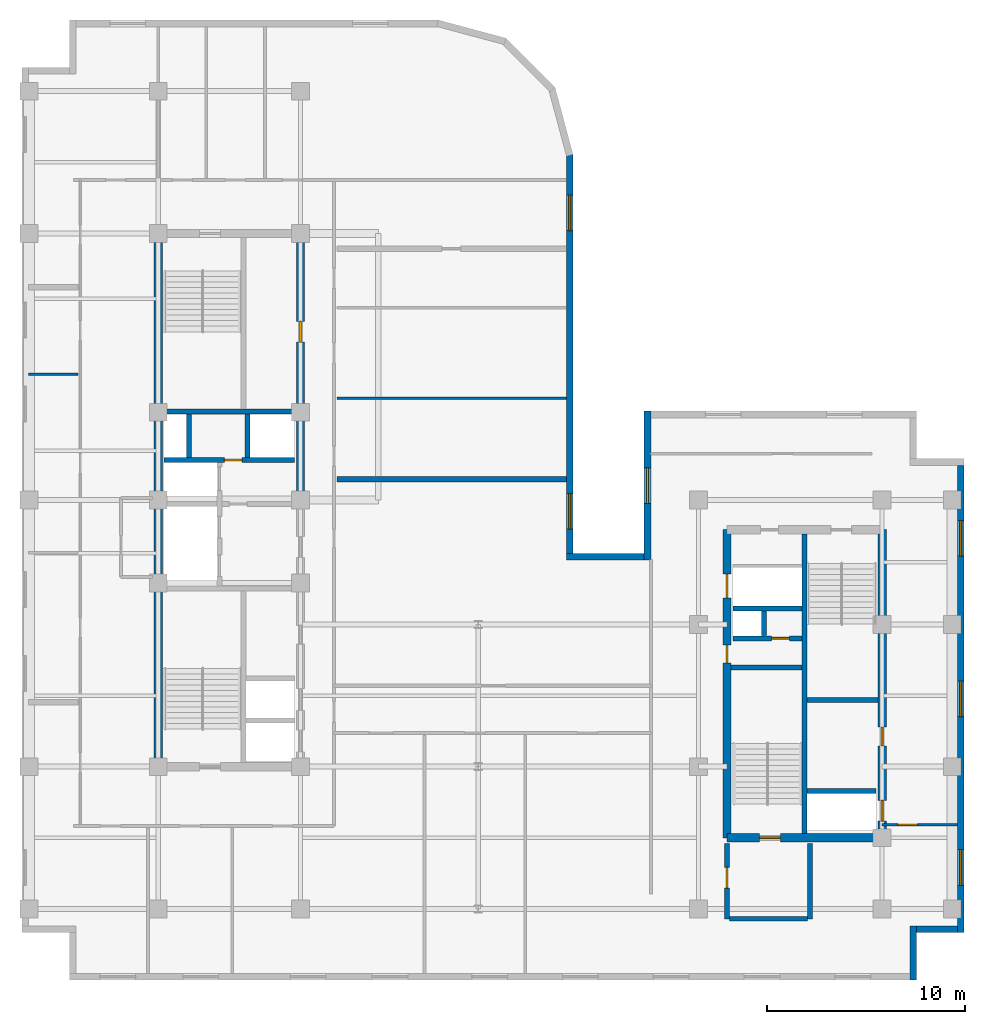
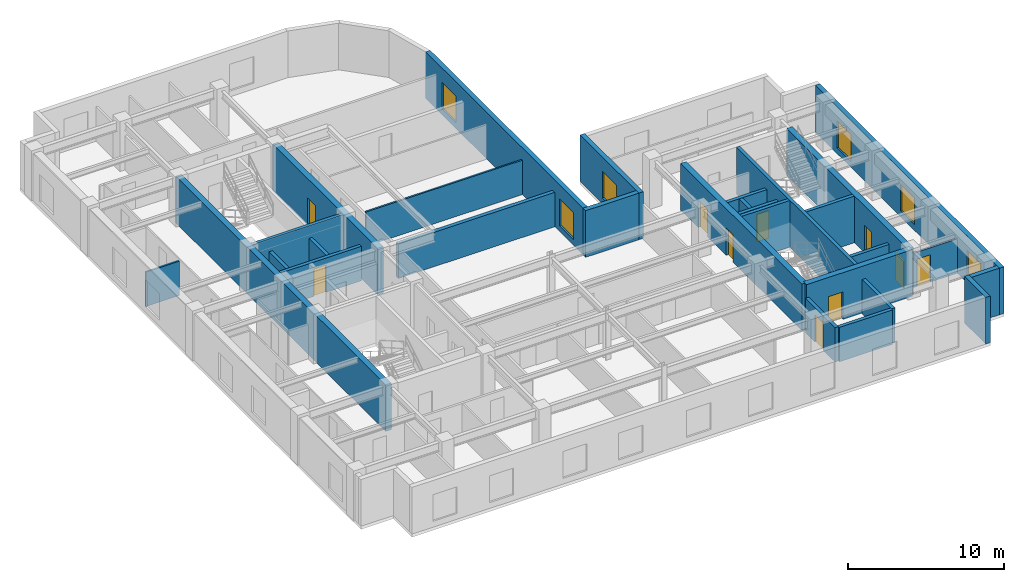
# One storey, part 5 of 10: 29 walls, 10 doors, 6 windows, 16 openings.
"""IFC4 building model written with IfcOpenShell, lengths in metres."""

from ifc_helpers import new_model, entity, si_unit, converted_unit, direction, frame, origin_with_axes, origin_2d_with_axis, place, context, subcontext, project, spatial, polyline, rectangle, outline, extrude, material, layer, layer_set, type_object, element, fill, save


model = new_model("IFC4")

# Units and contexts
model_context = context("Model", 3, precision=1e-05, world=origin_with_axes(), true_north=direction((0.0, 1.0)))
body_context = subcontext(model_context, "Body", "Model", "MODEL_VIEW")
ifc_project = project(units=[si_unit("LENGTHUNIT", "METRE"), si_unit("AREAUNIT", "SQUARE_METRE"), si_unit("VOLUMEUNIT", "CUBIC_METRE"), converted_unit("PLANEANGLEUNIT", "DEGREE", entity("IfcPlaneAngleMeasure", 0.017453292519943295), si_unit("PLANEANGLEUNIT", "RADIAN"), dimensions=[0, 0, 0, 0, 0, 0, 0]), si_unit("MASSUNIT", "GRAM", prefix="KILO"), si_unit("THERMODYNAMICTEMPERATUREUNIT", "KELVIN")], contexts=[model_context])

# Site, building, storey
site_placement = place(None, origin_with_axes())
site = spatial("IfcSite", under=ifc_project, at=site_placement, CompositionType="ELEMENT")
building_placement = place(site_placement, origin_with_axes())
building = spatial("IfcBuilding", under=site, at=building_placement, Name="Varnlund Millrace Tower", CompositionType="ELEMENT")
storey_placement = place(building_placement, frame((0.0, 0.0, 232.5), z_axis=(0.0, 0.0, 1.0), x_axis=(1.0, 0.0, 0.0)))
storey = spatial("IfcBuildingStorey", under=building, at=storey_placement, Name="L57", CompositionType="ELEMENT", Elevation=232.5)

# Wall
ifc_material_1 = material(Name="Concrete C60/75", Category="concrete")
ifc_layer_1 = layer(ifc_material_1, 0.42, Name="Concrete C60/75")
ifc_layer_set_1 = layer_set([ifc_layer_1], Name="Concrete C60/75")
wall_type_1 = type_object("IfcWallType", Name="Type-CoreWall-Shear-420-C60", PredefinedType="SHEAR", material=ifc_layer_set_1)
wall_1_placement = place(storey_placement, frame((11.4, 10.8, 0.0), z_axis=(0.0, 0.0, 1.0), x_axis=(0.0, 1.0, 0.0)))
element("IfcWall", 1, at=wall_1_placement, inside=storey, type_object=wall_type_1, Name="Type-CoreWall-Shear-420-C60", PredefinedType="SHEAR", context=body_context, shape_type="SweptSolid", body=[
    extrude(outline(polyline([(0.0, -0.21), (27.0, -0.21), (27.0, 0.21), (0.0, 0.21), (0.0, -0.21)])), origin_with_axes(), (0.0, 0.0, 1.0), 3.66),
])

# Wall, opening, door
wall_2_placement = place(storey_placement, frame((18.6, 24.3, 0.0), z_axis=(0.0, 0.0, 1.0), x_axis=(0.0, 1.0, 0.0)))
wall_2 = element("IfcWall", 2, at=wall_2_placement, inside=storey, type_object=wall_type_1, Name="Type-CoreWall-Shear-420-C60", PredefinedType="SHEAR", context=body_context, shape_type="SweptSolid", body=[
    extrude(outline(polyline([(0.0, -0.21), (13.5, -0.21), (13.5, 0.21), (0.0, 0.21), (0.0, -0.21)])), origin_with_axes(), (0.0, 0.0, 1.0), 3.66),
])
opening_1_placement = place(wall_2_placement, frame((8.525, 0.0, 0.0), z_axis=(0.0, 0.0, 1.0), x_axis=(1.0, 0.0, 0.0)))
opening_1 = element("IfcOpeningElement", 3, at=opening_1_placement, cuts=wall_2, Name="Opening L57:DR-RECL-M", PredefinedType="OPENING", context=body_context, shape_type="SweptSolid", body=[
    extrude(rectangle(XDim=1.05, YDim=0.44, at=origin_2d_with_axis()), origin_with_axes(), (0.0, 0.0, 1.0), 2.15),
])
ifc_material_2 = material(Name="Smoke-barrier hollow steel fire door", Category="steel")
door_type_1 = type_object("IfcDoorType", Name="Type-FireDoor-Lobby-1050X2150", OperationType="NOTDEFINED", PredefinedType="DOOR", material=ifc_material_2)
door_1_placement = place(wall_2_placement, frame((8.525, 0.0, 0.0), z_axis=(0.0, 0.0, 1.0), x_axis=(1.0, 0.0, 0.0)))
door_1 = element("IfcDoor", 4, at=door_1_placement, inside=storey, type_object=door_type_1, Name="Type-FireDoor-Lobby-1050X2150", OperationType="SINGLE_SWING_LEFT", OverallHeight=2.15, OverallWidth=1.05, PredefinedType="DOOR", context=body_context, shape_type="SweptSolid", body=[
    extrude(rectangle(XDim=1.05, YDim=0.09, at=origin_2d_with_axis()), origin_with_axes(), (0.0, 0.0, 1.0), 2.15),
])
fill(opening_1, door_1)

# Wall, openings, doors
wall_3_placement = place(storey_placement, frame((40.2, 7.2, 0.0), z_axis=(0.0, 0.0, 1.0), x_axis=(0.0, 1.0, 0.0)))
wall_3 = element("IfcWall", 5, at=wall_3_placement, inside=storey, type_object=wall_type_1, Name="Type-CoreWall-Shear-420-C60", PredefinedType="SHEAR", context=body_context, shape_type="SweptSolid", body=[
    extrude(outline(polyline([(0.0, -0.21), (15.6, -0.21), (15.6, 0.21), (0.0, 0.21), (0.0, -0.21)])), origin_with_axes(), (0.0, 0.0, 1.0), 3.66),
])
opening_2_placement = place(wall_3_placement, frame((12.75, 0.0, 0.0), z_axis=(0.0, 0.0, 1.0), x_axis=(1.0, 0.0, 0.0)))
opening_2 = element("IfcOpeningElement", 6, at=opening_2_placement, cuts=wall_3, Name="Opening L57:LD-SRV2", PredefinedType="OPENING", context=body_context, shape_type="SweptSolid", body=[
    extrude(rectangle(XDim=1.2, YDim=0.44, at=origin_2d_with_axis()), origin_with_axes(), (0.0, 0.0, 1.0), 2.15),
])
opening_3_placement = place(wall_3_placement, frame((9.3, 0.0, 0.0), z_axis=(0.0, 0.0, 1.0), x_axis=(1.0, 0.0, 0.0)))
opening_3 = element("IfcOpeningElement", 7, at=opening_3_placement, cuts=wall_3, Name="Opening L57:DR-CB-JAN", PredefinedType="OPENING", context=body_context, shape_type="SweptSolid", body=[
    extrude(rectangle(XDim=0.9, YDim=0.44, at=origin_2d_with_axis()), origin_with_axes(), (0.0, 0.0, 1.0), 2.15),
])
ifc_material_3 = material(Name="Fire-rated hollow steel service closet door", Category="steel")
door_type_2 = type_object("IfcDoorType", Name="Type-FireDoor-Closet-900X2150", OperationType="NOTDEFINED", PredefinedType="DOOR", material=ifc_material_3)
door_2_placement = place(wall_3_placement, frame((9.3, 0.0, 0.0), z_axis=(0.0, 0.0, 1.0), x_axis=(1.0, 0.0, 0.0)))
door_2 = element("IfcDoor", 8, at=door_2_placement, inside=storey, type_object=door_type_2, Name="Type-FireDoor-Closet-900X2150", OperationType="SINGLE_SWING_RIGHT", OverallHeight=2.15, OverallWidth=0.9, PredefinedType="DOOR", context=body_context, shape_type="SweptSolid", body=[
    extrude(rectangle(XDim=0.9, YDim=0.09, at=origin_2d_with_axis()), origin_with_axes(), (0.0, 0.0, 1.0), 2.15),
])
fill(opening_3, door_2)
ifc_material_4 = material(Name="Heavy-duty freight sliding landing door")
door_type_3 = type_object("IfcDoorType", Name="Type-LiftLandingDoor-Service-1200X2150", OperationType="NOTDEFINED", PredefinedType="DOOR", material=ifc_material_4)
door_3_placement = place(wall_3_placement, frame((12.75, 0.0, 0.0), z_axis=(0.0, 0.0, 1.0), x_axis=(1.0, 0.0, 0.0)))
door_3 = element("IfcDoor", 9, at=door_3_placement, inside=storey, type_object=door_type_3, Name="Type-LiftLandingDoor-Service-1200X2150", OperationType="DOUBLE_DOOR_SLIDING", OverallHeight=2.15, OverallWidth=1.2, PredefinedType="DOOR", context=body_context, shape_type="SweptSolid", body=[
    extrude(rectangle(XDim=1.2, YDim=0.09, at=origin_2d_with_axis()), origin_with_axes(), (0.0, 0.0, 1.0), 2.15),
])
fill(opening_2, door_3)

# Wall, opening, door
wall_4_placement = place(storey_placement, frame((40.2, 7.2, 0.0), z_axis=(0.0, 0.0, 1.0), x_axis=(1.0, 0.0, 0.0)))
wall_4 = element("IfcWall", 10, at=wall_4_placement, inside=storey, type_object=wall_type_1, Name="Type-CoreWall-Shear-420-C60", PredefinedType="SHEAR", context=body_context, shape_type="SweptSolid", body=[
    extrude(outline(polyline([(0.0, -0.21), (7.85, -0.21), (7.85, 0.21), (0.0, 0.21), (0.0, -0.21)])), origin_with_axes(), (0.0, 0.0, 1.0), 3.66),
])
opening_4_placement = place(wall_4_placement, frame((2.175, 0.0, 0.0), z_axis=(0.0, 0.0, 1.0), x_axis=(1.0, 0.0, 0.0)))
opening_4 = element("IfcOpeningElement", 11, at=opening_4_placement, cuts=wall_4, Name="Opening L57:DR-STB1", PredefinedType="OPENING", context=body_context, shape_type="SweptSolid", body=[
    extrude(rectangle(XDim=1.05, YDim=0.44, at=origin_2d_with_axis()), origin_with_axes(), (0.0, 0.0, 1.0), 2.15),
])
ifc_material_5 = material(Name="Fire-rated hollow steel door", Category="steel")
door_type_4 = type_object("IfcDoorType", Name="Type-FireDoor-Stair-1050X2150", OperationType="NOTDEFINED", PredefinedType="DOOR", material=ifc_material_5)
door_4_placement = place(wall_4_placement, frame((2.175, 0.0, 0.0), z_axis=(0.0, 0.0, 1.0), x_axis=(1.0, 0.0, 0.0)))
door_4 = element("IfcDoor", 12, at=door_4_placement, inside=storey, type_object=door_type_4, Name="Type-FireDoor-Stair-1050X2150", OperationType="SINGLE_SWING_LEFT", OverallHeight=2.15, OverallWidth=1.05, PredefinedType="DOOR", context=body_context, shape_type="SweptSolid", body=[
    extrude(rectangle(XDim=1.05, YDim=0.09, at=origin_2d_with_axis()), origin_with_axes(), (0.0, 0.0, 1.0), 2.15),
])
fill(opening_4, door_4)

# Wall, openings, doors
wall_5_placement = place(storey_placement, frame((48.05, 7.2, 0.0), z_axis=(0.0, 0.0, 1.0), x_axis=(0.0, 1.0, 0.0)))
wall_5 = element("IfcWall", 13, at=wall_5_placement, inside=storey, type_object=wall_type_1, Name="Type-CoreWall-Shear-420-C60", PredefinedType="SHEAR", context=body_context, shape_type="SweptSolid", body=[
    extrude(outline(polyline([(0.0, -0.21), (15.6, -0.21), (15.6, 0.21), (0.0, 0.21), (0.0, -0.21)])), origin_with_axes(), (0.0, 0.0, 1.0), 3.66),
])
opening_5_placement = place(wall_5_placement, frame((1.375, 0.0, 0.0), z_axis=(0.0, 0.0, 1.0), x_axis=(1.0, 0.0, 0.0)))
opening_5 = element("IfcOpeningElement", 14, at=opening_5_placement, cuts=wall_5, Name="Opening L57:LD-ELV-H3", PredefinedType="OPENING", context=body_context, shape_type="SweptSolid", body=[
    extrude(rectangle(XDim=1.05, YDim=0.44, at=origin_2d_with_axis()), origin_with_axes(), (0.0, 0.0, 1.0), 2.15),
])
opening_6_placement = place(wall_5_placement, frame((5.125, 0.0, 0.0), z_axis=(0.0, 0.0, 1.0), x_axis=(1.0, 0.0, 0.0)))
opening_6 = element("IfcOpeningElement", 15, at=opening_6_placement, cuts=wall_5, Name="Opening L57:DR-CB-WC", PredefinedType="OPENING", context=body_context, shape_type="SweptSolid", body=[
    extrude(rectangle(XDim=0.95, YDim=0.44, at=origin_2d_with_axis()), origin_with_axes(), (0.0, 0.0, 1.0), 2.15),
])
ifc_material_6 = material(Name="Fire-rated hollow steel core service door", Category="steel")
door_type_5 = type_object("IfcDoorType", Name="Type-FireDoor-Service-950X2150", OperationType="NOTDEFINED", PredefinedType="DOOR", material=ifc_material_6)
door_5_placement = place(wall_5_placement, frame((5.125, 0.0, 0.0), z_axis=(0.0, 0.0, 1.0), x_axis=(1.0, 0.0, 0.0)))
door_5 = element("IfcDoor", 16, at=door_5_placement, inside=storey, type_object=door_type_5, Name="Type-FireDoor-Service-950X2150", OperationType="SINGLE_SWING_LEFT", OverallHeight=2.15, OverallWidth=0.95, PredefinedType="DOOR", context=body_context, shape_type="SweptSolid", body=[
    extrude(rectangle(XDim=0.95, YDim=0.09, at=origin_2d_with_axis()), origin_with_axes(), (0.0, 0.0, 1.0), 2.15),
])
fill(opening_6, door_5)
ifc_material_7 = material(Name="Architectural bronze sliding landing door")
door_type_6 = type_object("IfcDoorType", Name="Type-LiftLandingDoor-Compact-1050X2150", OperationType="NOTDEFINED", PredefinedType="DOOR", material=ifc_material_7)
door_6_placement = place(wall_5_placement, frame((1.375, 0.0, 0.0), z_axis=(0.0, 0.0, 1.0), x_axis=(1.0, 0.0, 0.0)))
door_6 = element("IfcDoor", 17, at=door_6_placement, inside=storey, type_object=door_type_6, Name="Type-LiftLandingDoor-Compact-1050X2150", OperationType="SLIDING_TO_LEFT", OverallHeight=2.15, OverallWidth=1.05, PredefinedType="DOOR", context=body_context, shape_type="SweptSolid", body=[
    extrude(rectangle(XDim=1.05, YDim=0.09, at=origin_2d_with_axis()), origin_with_axes(), (0.0, 0.0, 1.0), 2.15),
])
fill(opening_5, door_6)

# Wall, opening, window
ifc_material_8 = material(Name="Precast concrete C50/60", Category="concrete")
ifc_layer_2 = layer(ifc_material_8, 0.34, Name="Precast concrete C50/60")
ifc_layer_set_2 = layer_set([ifc_layer_2], Name="Precast concrete C50/60")
wall_type_2 = type_object("IfcWallType", Name="Type-ExtWall-Precast-Upper-340", PredefinedType="SOLIDWALL", material=ifc_layer_set_2)
wall_6_placement = place(storey_placement, frame((36.17, 21.26, 0.0), z_axis=(0.0, 0.0, 1.0), x_axis=(0.0, 1.0, 0.0)))
wall_6 = element("IfcWall", 18, at=wall_6_placement, inside=storey, type_object=wall_type_2, Name="Type-ExtWall-Precast-Upper-340", PredefinedType="SOLIDWALL", context=body_context, shape_type="SweptSolid", body=[
    extrude(outline(polyline([(0.0, -0.17), (7.54, -0.17), (7.54, 0.17), (0.0, 0.17), (0.0, -0.17)])), origin_with_axes(), (0.0, 0.0, 1.0), 3.66),
])
opening_7_placement = place(wall_6_placement, frame((3.77, 0.0, 0.45), z_axis=(0.0, 0.0, 1.0), x_axis=(1.0, 0.0, 0.0)))
opening_7 = element("IfcOpeningElement", 19, at=opening_7_placement, cuts=wall_6, Name="Opening L57:WN-01", PredefinedType="OPENING", context=body_context, shape_type="SweptSolid", body=[
    extrude(rectangle(XDim=1.8, YDim=0.36, at=origin_2d_with_axis()), origin_with_axes(), (0.0, 0.0, 1.0), 2.1),
])
ifc_material_9 = material(Name="Argon low-e triple glazing in thermally broken bronze frame", Category="glass")
window_type = type_object("IfcWindowType", Name="Type-Window-Punched-1800X2100", PartitioningType="SINGLE_PANEL", PredefinedType="WINDOW", material=ifc_material_9)
window_1_placement = place(wall_6_placement, frame((3.77, 0.0, 0.45), z_axis=(0.0, 0.0, 1.0), x_axis=(1.0, 0.0, 0.0)))
window_1 = element("IfcWindow", 20, at=window_1_placement, inside=storey, type_object=window_type, Name="Type-Window-Punched-1800X2100", OverallHeight=2.1, OverallWidth=1.8, PredefinedType="WINDOW", context=body_context, shape_type="SweptSolid", body=[
    extrude(rectangle(XDim=1.8, YDim=0.09, at=origin_2d_with_axis()), origin_with_axes(), (0.0, 0.0, 1.0), 2.1),
])
fill(opening_7, window_1)

# Wall, openings, windows
wall_7_placement = place(storey_placement, frame((52.03, 26.06, 0.0), z_axis=(0.0, 0.0, 1.0), x_axis=(0.0, -1.0, 0.0)))
wall_7 = element("IfcWall", 21, at=wall_7_placement, inside=storey, type_object=wall_type_2, Name="Type-ExtWall-Precast-Upper-340", PredefinedType="SOLIDWALL", context=body_context, shape_type="SweptSolid", body=[
    extrude(outline(polyline([(0.0, -0.17), (23.66, -0.17), (23.66, 0.17), (0.0, 0.17), (0.0, -0.17)])), origin_with_axes(), (0.0, 0.0, 1.0), 3.66),
])
opening_8_placement = place(wall_7_placement, frame((3.696, 0.0, 0.45), z_axis=(0.0, 0.0, 1.0), x_axis=(1.0, 0.0, 0.0)))
opening_8 = element("IfcOpeningElement", 22, at=opening_8_placement, cuts=wall_7, Name="Opening L57:WN-04", PredefinedType="OPENING", context=body_context, shape_type="SweptSolid", body=[
    extrude(rectangle(XDim=1.8, YDim=0.36, at=origin_2d_with_axis()), origin_with_axes(), (0.0, 0.0, 1.0), 2.1),
])
opening_9_placement = place(wall_7_placement, frame((11.83, 0.0, 0.45), z_axis=(0.0, 0.0, 1.0), x_axis=(1.0, 0.0, 0.0)))
opening_9 = element("IfcOpeningElement", 23, at=opening_9_placement, cuts=wall_7, Name="Opening L57:WN-05", PredefinedType="OPENING", context=body_context, shape_type="SweptSolid", body=[
    extrude(rectangle(XDim=1.8, YDim=0.36, at=origin_2d_with_axis()), origin_with_axes(), (0.0, 0.0, 1.0), 2.1),
])
opening_10_placement = place(wall_7_placement, frame((20.364, 0.0, 0.45), z_axis=(0.0, 0.0, 1.0), x_axis=(1.0, 0.0, 0.0)))
opening_10 = element("IfcOpeningElement", 24, at=opening_10_placement, cuts=wall_7, Name="Opening L57:WN-06", PredefinedType="OPENING", context=body_context, shape_type="SweptSolid", body=[
    extrude(rectangle(XDim=1.8, YDim=0.36, at=origin_2d_with_axis()), origin_with_axes(), (0.0, 0.0, 1.0), 2.1),
])
window_2_placement = place(wall_7_placement, frame((3.696, 0.0, 0.45), z_axis=(0.0, 0.0, 1.0), x_axis=(1.0, 0.0, 0.0)))
window_2 = element("IfcWindow", 25, at=window_2_placement, inside=storey, type_object=window_type, Name="Type-Window-Punched-1800X2100", OverallHeight=2.1, OverallWidth=1.8, PredefinedType="WINDOW", context=body_context, shape_type="SweptSolid", body=[
    extrude(rectangle(XDim=1.8, YDim=0.09, at=origin_2d_with_axis()), origin_with_axes(), (0.0, 0.0, 1.0), 2.1),
])
fill(opening_8, window_2)
window_3_placement = place(wall_7_placement, frame((11.83, 0.0, 0.45), z_axis=(0.0, 0.0, 1.0), x_axis=(1.0, 0.0, 0.0)))
window_3 = element("IfcWindow", 26, at=window_3_placement, inside=storey, type_object=window_type, Name="Type-Window-Punched-1800X2100", OverallHeight=2.1, OverallWidth=1.8, PredefinedType="WINDOW", context=body_context, shape_type="SweptSolid", body=[
    extrude(rectangle(XDim=1.8, YDim=0.09, at=origin_2d_with_axis()), origin_with_axes(), (0.0, 0.0, 1.0), 2.1),
])
fill(opening_9, window_3)
window_4_placement = place(wall_7_placement, frame((20.364, 0.0, 0.45), z_axis=(0.0, 0.0, 1.0), x_axis=(1.0, 0.0, 0.0)))
window_4 = element("IfcWindow", 27, at=window_4_placement, inside=storey, type_object=window_type, Name="Type-Window-Punched-1800X2100", OverallHeight=2.1, OverallWidth=1.8, PredefinedType="WINDOW", context=body_context, shape_type="SweptSolid", body=[
    extrude(rectangle(XDim=1.8, YDim=0.09, at=origin_2d_with_axis()), origin_with_axes(), (0.0, 0.0, 1.0), 2.1),
])
fill(opening_10, window_4)

# Walls
wall_8_placement = place(storey_placement, frame((51.86, 2.57, 0.0), z_axis=(0.0, 0.0, 1.0), x_axis=(-1.0, 0.0, 0.0)))
element("IfcWall", 28, at=wall_8_placement, inside=storey, type_object=wall_type_2, Name="Type-ExtWall-Precast-Upper-340", PredefinedType="SOLIDWALL", context=body_context, shape_type="SweptSolid", body=[
    extrude(outline(polyline([(0.0, -0.17), (2.06, -0.17), (2.06, 0.17), (0.0, 0.17), (0.0, -0.17)])), origin_with_axes(), (0.0, 0.0, 1.0), 3.66),
])
wall_9_placement = place(storey_placement, frame((49.63, 2.74, 0.0), z_axis=(0.0, 0.0, 1.0), x_axis=(0.0, -1.0, 0.0)))
element("IfcWall", 29, at=wall_9_placement, inside=storey, type_object=wall_type_2, Name="Type-ExtWall-Precast-Upper-340", PredefinedType="SOLIDWALL", context=body_context, shape_type="SweptSolid", body=[
    extrude(outline(polyline([(0.0, -0.17), (2.74, -0.17), (2.74, 0.17), (0.0, 0.17), (0.0, -0.17)])), origin_with_axes(), (0.0, 0.0, 1.0), 3.66),
])

# Wall, openings, windows
wall_10_placement = place(storey_placement, frame((32.23, 41.82, 0.0), z_axis=(0.0, 0.0, 1.0), x_axis=(0.0, -1.0, 0.0)))
wall_10 = element("IfcWall", 30, at=wall_10_placement, inside=storey, type_object=wall_type_2, Name="Type-ExtWall-Precast-Upper-340", PredefinedType="SOLIDWALL", context=body_context, shape_type="SweptSolid", body=[
    extrude(outline(polyline([(0.0, -0.17), (20.22, -0.17), (20.22, 0.17), (0.0, 0.17), (0.0, -0.17)])), origin_with_axes(), (0.0, 0.0, 1.0), 3.66),
])
opening_11_placement = place(wall_10_placement, frame((2.978, 0.0, 0.45), z_axis=(0.0, 0.0, 1.0), x_axis=(1.0, 0.0, 0.0)))
opening_11 = element("IfcOpeningElement", 31, at=opening_11_placement, cuts=wall_10, Name="Opening L57:WN-24", PredefinedType="OPENING", context=body_context, shape_type="SweptSolid", body=[
    extrude(rectangle(XDim=1.8, YDim=0.36, at=origin_2d_with_axis()), origin_with_axes(), (0.0, 0.0, 1.0), 2.1),
])
opening_12_placement = place(wall_10_placement, frame((18.093, 0.0, 0.45), z_axis=(0.0, 0.0, 1.0), x_axis=(1.0, 0.0, 0.0)))
opening_12 = element("IfcOpeningElement", 32, at=opening_12_placement, cuts=wall_10, Name="Opening L57:WN-25", PredefinedType="OPENING", context=body_context, shape_type="SweptSolid", body=[
    extrude(rectangle(XDim=1.8, YDim=0.36, at=origin_2d_with_axis()), origin_with_axes(), (0.0, 0.0, 1.0), 2.1),
])
window_5_placement = place(wall_10_placement, frame((2.978, 0.0, 0.45), z_axis=(0.0, 0.0, 1.0), x_axis=(1.0, 0.0, 0.0)))
window_5 = element("IfcWindow", 33, at=window_5_placement, inside=storey, type_object=window_type, Name="Type-Window-Punched-1800X2100", OverallHeight=2.1, OverallWidth=1.8, PredefinedType="WINDOW", context=body_context, shape_type="SweptSolid", body=[
    extrude(rectangle(XDim=1.8, YDim=0.09, at=origin_2d_with_axis()), origin_with_axes(), (0.0, 0.0, 1.0), 2.1),
])
fill(opening_11, window_5)
window_6_placement = place(wall_10_placement, frame((18.093, 0.0, 0.45), z_axis=(0.0, 0.0, 1.0), x_axis=(1.0, 0.0, 0.0)))
window_6 = element("IfcWindow", 34, at=window_6_placement, inside=storey, type_object=window_type, Name="Type-Window-Punched-1800X2100", OverallHeight=2.1, OverallWidth=1.8, PredefinedType="WINDOW", context=body_context, shape_type="SweptSolid", body=[
    extrude(rectangle(XDim=1.8, YDim=0.09, at=origin_2d_with_axis()), origin_with_axes(), (0.0, 0.0, 1.0), 2.1),
])
fill(opening_12, window_6)

# Walls
wall_11_placement = place(storey_placement, frame((32.06, 21.43, 0.0), z_axis=(0.0, 0.0, 1.0), x_axis=(1.0, 0.0, 0.0)))
element("IfcWall", 35, at=wall_11_placement, inside=storey, type_object=wall_type_2, Name="Type-ExtWall-Precast-Upper-340", PredefinedType="SOLIDWALL", context=body_context, shape_type="SweptSolid", body=[
    extrude(outline(polyline([(0.0, -0.17), (3.94, -0.17), (3.94, 0.17), (0.0, 0.17), (0.0, -0.17)])), origin_with_axes(), (0.0, 0.0, 1.0), 3.66),
])
ifc_material_10 = material(Name="Double-stud STC-60 conference acoustic partition", Category="gypsum")
ifc_layer_3 = layer(ifc_material_10, 0.28, Name="Double-stud STC-60 conference acoustic partition")
ifc_layer_set_3 = layer_set([ifc_layer_3], Name="Double-stud STC-60 conference acoustic partition")
wall_type_3 = type_object("IfcWallType", Name="Type-Partition-Acoustic-280", PredefinedType="PARTITIONING", material=ifc_layer_set_3)
wall_12_placement = place(storey_placement, frame((20.45, 25.362, 0.0), z_axis=(0.0, 0.0, 1.0), x_axis=(1.0, 0.0, 0.0)))
element("IfcWall", 36, at=wall_12_placement, inside=storey, type_object=wall_type_3, Name="Type-Partition-Acoustic-280", PredefinedType="PARTITIONING", context=body_context, shape_type="SweptSolid", body=[
    extrude(outline(polyline([(0.0, -0.14), (11.615, -0.14), (11.615, 0.14), (0.0, 0.14), (0.0, -0.14)])), origin_with_axes(), (0.0, 0.0, 1.0), 2.7),
])
ifc_material_11 = material(Name="Gypsum board tenant partition", Category="gypsum")
ifc_layer_4 = layer(ifc_material_11, 0.125, Name="Gypsum board tenant partition")
ifc_layer_set_4 = layer_set([ifc_layer_4], Name="Gypsum board tenant partition")
wall_type_4 = type_object("IfcWallType", Name="Type-Partition-Tenant-125", PredefinedType="PARTITIONING", material=ifc_layer_set_4)
wall_13_placement = place(storey_placement, frame((4.835, 30.677, 0.0), z_axis=(0.0, 0.0, 1.0), x_axis=(1.0, 0.0, 0.0)))
element("IfcWall", 37, at=wall_13_placement, inside=storey, type_object=wall_type_4, Name="Type-Partition-Tenant-125", PredefinedType="PARTITIONING", context=body_context, shape_type="SweptSolid", body=[
    extrude(outline(polyline([(0.0, -0.0625), (2.495, -0.0625), (2.495, 0.0625), (0.0, 0.0625), (0.0, -0.0625)])), origin_with_axes(), (0.0, 0.0, 1.0), 2.7),
])
wall_14_placement = place(storey_placement, frame((20.45, 29.444, 0.0), z_axis=(0.0, 0.0, 1.0), x_axis=(1.0, 0.0, 0.0)))
element("IfcWall", 38, at=wall_14_placement, inside=storey, type_object=wall_type_4, Name="Type-Partition-Tenant-125", PredefinedType="PARTITIONING", context=body_context, shape_type="SweptSolid", body=[
    extrude(outline(polyline([(0.0, -0.0625), (11.615, -0.0625), (11.615, 0.0625), (0.0, 0.0625), (0.0, -0.0625)])), origin_with_axes(), (0.0, 0.0, 1.0), 2.7),
])

# Wall, opening, door
wall_15_placement = place(storey_placement, frame((51.865, 7.85, 0.0), z_axis=(0.0, 0.0, 1.0), x_axis=(-1.0, 0.0, 0.0)))
wall_15 = element("IfcWall", 39, at=wall_15_placement, inside=storey, type_object=wall_type_4, Name="Type-Partition-Tenant-125", PredefinedType="PARTITIONING", context=body_context, shape_type="SweptSolid", body=[
    extrude(outline(polyline([(0.0, -0.0625), (3.815, -0.0625), (3.815, 0.0625), (0.0, 0.0625), (0.0, -0.0625)])), origin_with_axes(), (0.0, 0.0, 1.0), 2.7),
])
opening_13_placement = place(wall_15_placement, frame((2.515, 0.0, 0.0), z_axis=(0.0, 0.0, 1.0), x_axis=(1.0, 0.0, 0.0)))
opening_13 = element("IfcOpeningElement", 40, at=opening_13_placement, cuts=wall_15, Name="Opening L57:DR-WBS-01", PredefinedType="OPENING", context=body_context, shape_type="SweptSolid", body=[
    extrude(rectangle(XDim=1.0, YDim=0.145, at=origin_2d_with_axis()), origin_with_axes(), (0.0, 0.0, 1.0), 2.15),
])
ifc_material_12 = material(Name="Solid-core white oak and bronze frame door")
door_type_7 = type_object("IfcDoorType", Name="Type-IntDoor-Office-1000X2150", OperationType="NOTDEFINED", PredefinedType="DOOR", material=ifc_material_12)
door_7_placement = place(wall_15_placement, frame((2.515, 0.0, 0.0), z_axis=(0.0, 0.0, 1.0), x_axis=(1.0, 0.0, 0.0)))
door_7 = element("IfcDoor", 41, at=door_7_placement, inside=storey, type_object=door_type_7, Name="Type-IntDoor-Office-1000X2150", OperationType="SINGLE_SWING_LEFT", OverallHeight=2.15, OverallWidth=1.0, PredefinedType="DOOR", context=body_context, shape_type="SweptSolid", body=[
    extrude(rectangle(XDim=1.0, YDim=0.075, at=origin_2d_with_axis()), origin_with_axes(), (0.0, 0.0, 1.0), 2.15),
])
fill(opening_13, door_7)

ifc_layer_5 = layer(ifc_material_1, 0.25, Name="Concrete C60/75")
ifc_layer_set_5 = layer_set([ifc_layer_5], Name="Concrete C60/75")
wall_type_5 = type_object("IfcWallType", Name="Type-ShaftWall-Fire-250", PredefinedType="SOLIDWALL", material=ifc_layer_set_5)
wall_16_placement = place(storey_placement, frame((11.7, 26.325, 0.0), z_axis=(0.0, 0.0, 1.0), x_axis=(1.0, 0.0, 0.0)))
wall_16 = element("IfcWall", 42, at=wall_16_placement, inside=storey, type_object=wall_type_5, Name="Type-ShaftWall-Fire-250", PredefinedType="SOLIDWALL", context=body_context, shape_type="SweptSolid", body=[
    extrude(outline(polyline([(0.0, -0.125), (6.6, -0.125), (6.6, 0.125), (0.0, 0.125), (0.0, -0.125)])), origin_with_axes(), (0.0, 0.0, 1.0), 2.7),
])
opening_14_placement = place(wall_16_placement, frame((3.5, 0.0, 0.0), z_axis=(0.0, 0.0, 1.0), x_axis=(1.0, 0.0, 0.0)))
opening_14 = element("IfcOpeningElement", 43, at=opening_14_placement, cuts=wall_16, Name="Opening L57:DR-CA-ELC", PredefinedType="OPENING", context=body_context, shape_type="SweptSolid", body=[
    extrude(rectangle(XDim=0.9, YDim=0.27, at=origin_2d_with_axis()), origin_with_axes(), (0.0, 0.0, 1.0), 2.15),
])
door_8_placement = place(wall_16_placement, frame((3.5, 0.0, 0.0), z_axis=(0.0, 0.0, 1.0), x_axis=(1.0, 0.0, 0.0)))
door_8 = element("IfcDoor", 44, at=door_8_placement, inside=storey, type_object=door_type_2, Name="Type-FireDoor-Closet-900X2150", OperationType="SINGLE_SWING_LEFT", OverallHeight=2.15, OverallWidth=0.9, PredefinedType="DOOR", context=body_context, shape_type="SweptSolid", body=[
    extrude(rectangle(XDim=0.9, YDim=0.09, at=origin_2d_with_axis()), origin_with_axes(), (0.0, 0.0, 1.0), 2.15),
])
fill(opening_14, door_8)

# Walls
for number, where, z_axis, x_axis, name in (
    (45, (12.96, 26.45, 0.0), (0.0, 0.0, 1.0), (0.0, 1.0, 0.0), "Type-ShaftWall-Fire-250"),
    (46, (15.925, 26.45, 0.0), (0.0, 0.0, 1.0), (0.0, 1.0, 0.0), "Type-ShaftWall-Fire-250"),
):
    element("IfcWall", number, at=place(storey_placement, frame(where, z_axis=z_axis, x_axis=x_axis)), inside=storey, type_object=wall_type_5, Name=name, PredefinedType="SOLIDWALL", context=body_context, shape_type="SweptSolid", body=[
        extrude(outline(polyline([(0.0, -0.125), (2.2, -0.125), (2.2, 0.125), (0.0, 0.125), (0.0, -0.125)])), origin_with_axes(), (0.0, 0.0, 1.0), 2.7),
    ])

# Wall, opening, door
wall_17_placement = place(storey_placement, frame((40.5, 17.3, 0.0), z_axis=(0.0, 0.0, 1.0), x_axis=(1.0, 0.0, 0.0)))
wall_17 = element("IfcWall", 47, at=wall_17_placement, inside=storey, type_object=wall_type_5, Name="Type-ShaftWall-Fire-250", PredefinedType="SOLIDWALL", context=body_context, shape_type="SweptSolid", body=[
    extrude(outline(polyline([(0.0, -0.125), (3.5, -0.125), (3.5, 0.125), (0.0, 0.125), (0.0, -0.125)])), origin_with_axes(), (0.0, 0.0, 1.0), 2.7),
])
opening_15_placement = place(wall_17_placement, frame((2.4, 0.0, 0.0), z_axis=(0.0, 0.0, 1.0), x_axis=(1.0, 0.0, 0.0)))
opening_15 = element("IfcOpeningElement", 48, at=opening_15_placement, cuts=wall_17, Name="Opening L57:DR-CB-ELC", PredefinedType="OPENING", context=body_context, shape_type="SweptSolid", body=[
    extrude(rectangle(XDim=0.9, YDim=0.27, at=origin_2d_with_axis()), origin_with_axes(), (0.0, 0.0, 1.0), 2.15),
])
door_9_placement = place(wall_17_placement, frame((2.4, 0.0, 0.0), z_axis=(0.0, 0.0, 1.0), x_axis=(1.0, 0.0, 0.0)))
door_9 = element("IfcDoor", 49, at=door_9_placement, inside=storey, type_object=door_type_2, Name="Type-FireDoor-Closet-900X2150", OperationType="SINGLE_SWING_LEFT", OverallHeight=2.15, OverallWidth=0.9, PredefinedType="DOOR", context=body_context, shape_type="SweptSolid", body=[
    extrude(rectangle(XDim=0.9, YDim=0.09, at=origin_2d_with_axis()), origin_with_axes(), (0.0, 0.0, 1.0), 2.15),
])
fill(opening_15, door_9)

# Walls
wall_18_placement = place(storey_placement, frame((40.5, 18.8, 0.0), z_axis=(0.0, 0.0, 1.0), x_axis=(1.0, 0.0, 0.0)))
element("IfcWall", 50, at=wall_18_placement, inside=storey, type_object=wall_type_5, Name="Type-ShaftWall-Fire-250", PredefinedType="SOLIDWALL", context=body_context, shape_type="SweptSolid", body=[
    extrude(outline(polyline([(0.0, -0.125), (3.5, -0.125), (3.5, 0.125), (0.0, 0.125), (0.0, -0.125)])), origin_with_axes(), (0.0, 0.0, 1.0), 2.7),
])
wall_19_placement = place(storey_placement, frame((42.075, 17.43, 0.0), z_axis=(0.0, 0.0, 1.0), x_axis=(0.0, 1.0, 0.0)))
element("IfcWall", 51, at=wall_19_placement, inside=storey, type_object=wall_type_5, Name="Type-ShaftWall-Fire-250", PredefinedType="SOLIDWALL", context=body_context, shape_type="SweptSolid", body=[
    extrude(outline(polyline([(0.0, -0.125), (1.24, -0.125), (1.24, 0.125), (0.0, 0.125), (0.0, -0.125)])), origin_with_axes(), (0.0, 0.0, 1.0), 2.7),
])

# Wall, opening, door
wall_20_placement = place(storey_placement, frame((40.2, 3.1, 0.0), z_axis=(0.0, 0.0, 1.0), x_axis=(0.0, 1.0, 0.0)))
wall_20 = element("IfcWall", 52, at=wall_20_placement, inside=storey, type_object=wall_type_5, Name="Type-ShaftWall-Fire-250", PredefinedType="SOLIDWALL", context=body_context, shape_type="SweptSolid", body=[
    extrude(outline(polyline([(0.0, -0.125), (3.8, -0.125), (3.8, 0.125), (0.0, 0.125), (0.0, -0.125)])), origin_with_axes(), (0.0, 0.0, 1.0), 2.7),
])
opening_16_placement = place(wall_20_placement, frame((2.075, 0.0, 0.0), z_axis=(0.0, 0.0, 1.0), x_axis=(1.0, 0.0, 0.0)))
opening_16 = element("IfcOpeningElement", 53, at=opening_16_placement, cuts=wall_20, Name="Opening L57:DR-FFLOB-B", PredefinedType="OPENING", context=body_context, shape_type="SweptSolid", body=[
    extrude(rectangle(XDim=1.05, YDim=0.27, at=origin_2d_with_axis()), origin_with_axes(), (0.0, 0.0, 1.0), 2.15),
])
door_10_placement = place(wall_20_placement, frame((2.075, 0.0, 0.0), z_axis=(0.0, 0.0, 1.0), x_axis=(1.0, 0.0, 0.0)))
door_10 = element("IfcDoor", 54, at=door_10_placement, inside=storey, type_object=door_type_1, Name="Type-FireDoor-Lobby-1050X2150", OperationType="SINGLE_SWING_LEFT", OverallHeight=2.15, OverallWidth=1.05, PredefinedType="DOOR", context=body_context, shape_type="SweptSolid", body=[
    extrude(rectangle(XDim=1.05, YDim=0.09, at=origin_2d_with_axis()), origin_with_axes(), (0.0, 0.0, 1.0), 2.15),
])
fill(opening_16, door_10)

# Walls
wall_21_placement = place(storey_placement, frame((40.325, 3.1, 0.0), z_axis=(0.0, 0.0, 1.0), x_axis=(1.0, 0.0, 0.0)))
element("IfcWall", 55, at=wall_21_placement, inside=storey, type_object=wall_type_5, Name="Type-ShaftWall-Fire-250", PredefinedType="SOLIDWALL", context=body_context, shape_type="SweptSolid", body=[
    extrude(outline(polyline([(0.0, -0.125), (3.95, -0.125), (3.95, 0.125), (0.0, 0.125), (0.0, -0.125)])), origin_with_axes(), (0.0, 0.0, 1.0), 2.7),
])
wall_22_placement = place(storey_placement, frame((44.4, 3.1, 0.0), z_axis=(0.0, 0.0, 1.0), x_axis=(0.0, 1.0, 0.0)))
element("IfcWall", 56, at=wall_22_placement, inside=storey, type_object=wall_type_5, Name="Type-ShaftWall-Fire-250", PredefinedType="SOLIDWALL", context=body_context, shape_type="SweptSolid", body=[
    extrude(outline(polyline([(0.0, -0.125), (3.8, -0.125), (3.8, 0.125), (0.0, 0.125), (0.0, -0.125)])), origin_with_axes(), (0.0, 0.0, 1.0), 2.7),
])
wall_23_placement = place(storey_placement, frame((44.25, 9.56, 0.0), z_axis=(0.0, 0.0, 1.0), x_axis=(1.0, 0.0, 0.0)))
element("IfcWall", 57, at=wall_23_placement, inside=storey, type_object=wall_type_5, Name="Type-ShaftWall-Fire-250", PredefinedType="SOLIDWALL", context=body_context, shape_type="SweptSolid", body=[
    extrude(outline(polyline([(0.0, -0.125), (3.5, -0.125), (3.5, 0.125), (0.0, 0.125), (0.0, -0.125)])), origin_with_axes(), (0.0, 0.0, 1.0), 2.7),
])
wall_type_6 = type_object("IfcWallType", Name="Type-StairWall-Shear-250", PredefinedType="SHEAR", material=ifc_layer_set_5)
wall_24_placement = place(storey_placement, frame((11.61, 28.775, 0.0), z_axis=(0.0, 0.0, 1.0), x_axis=(1.0, 0.0, 0.0)))
element("IfcWall", 58, at=wall_24_placement, inside=storey, type_object=wall_type_6, Name="Type-StairWall-Shear-250", PredefinedType="SHEAR", context=body_context, shape_type="SweptSolid", body=[
    extrude(outline(polyline([(0.0, -0.125), (6.78, -0.125), (6.78, 0.125), (0.0, 0.125), (0.0, -0.125)])), origin_with_axes(), (0.0, 0.0, 1.0), 3.66),
])
wall_25_placement = place(storey_placement, frame((44.125, 7.41, 0.0), z_axis=(0.0, 0.0, 1.0), x_axis=(0.0, 1.0, 0.0)))
element("IfcWall", 59, at=wall_25_placement, inside=storey, type_object=wall_type_6, Name="Type-StairWall-Shear-250", PredefinedType="SHEAR", context=body_context, shape_type="SweptSolid", body=[
    extrude(outline(polyline([(0.0, -0.125), (15.18, -0.125), (15.18, 0.125), (0.0, 0.125), (0.0, -0.125)])), origin_with_axes(), (0.0, 0.0, 1.0), 3.66),
])
for number, where, z_axis, x_axis, name in (
    (60, (40.41, 15.825, 0.0), (0.0, 0.0, 1.0), (1.0, 0.0, 0.0), "Type-StairWall-Shear-250"),
    (61, (44.25, 14.175, 0.0), (0.0, 0.0, 1.0), (1.0, 0.0, 0.0), "Type-StairWall-Shear-250"),
):
    element("IfcWall", number, at=place(storey_placement, frame(where, z_axis=z_axis, x_axis=x_axis)), inside=storey, type_object=wall_type_6, Name=name, PredefinedType="SHEAR", context=body_context, shape_type="SweptSolid", body=[
        extrude(outline(polyline([(0.0, -0.125), (3.59, -0.125), (3.59, 0.125), (0.0, 0.125), (0.0, -0.125)])), origin_with_axes(), (0.0, 0.0, 1.0), 3.66),
    ])

save(model, "model.ifc")
